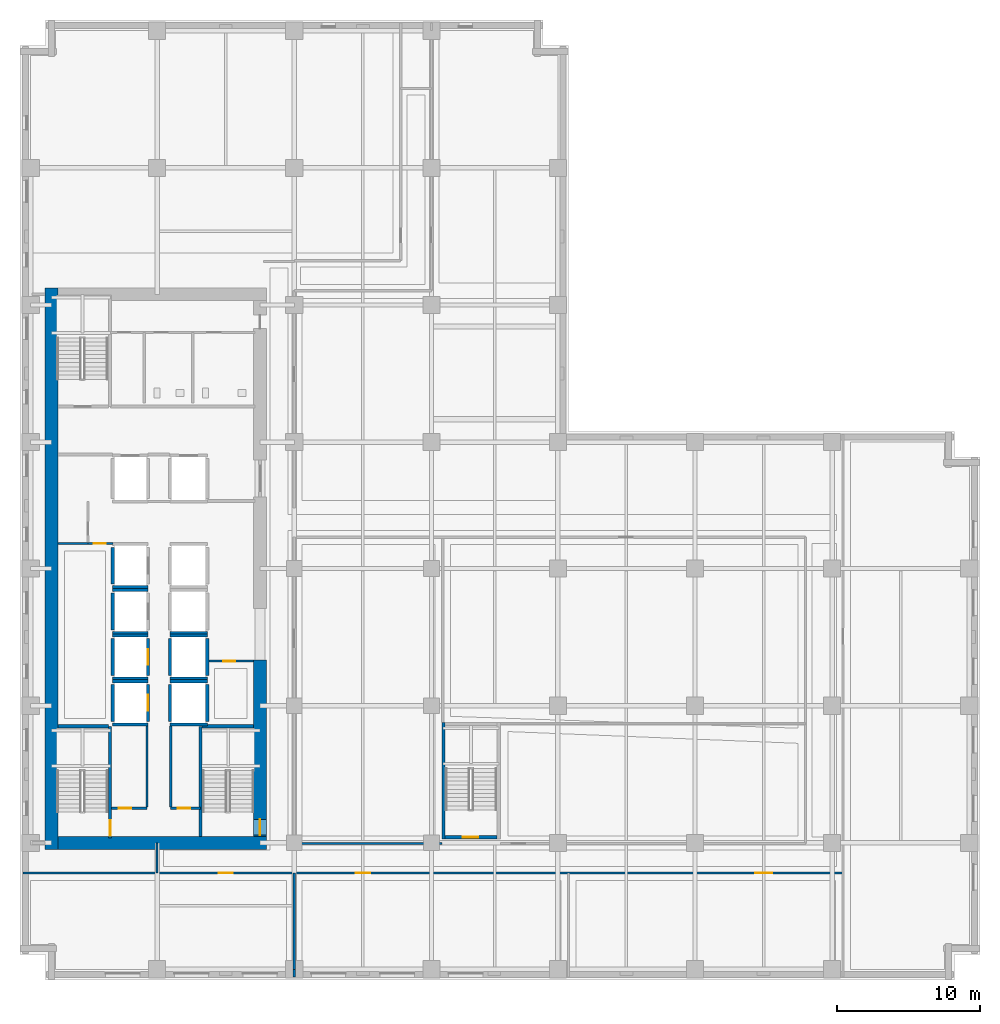
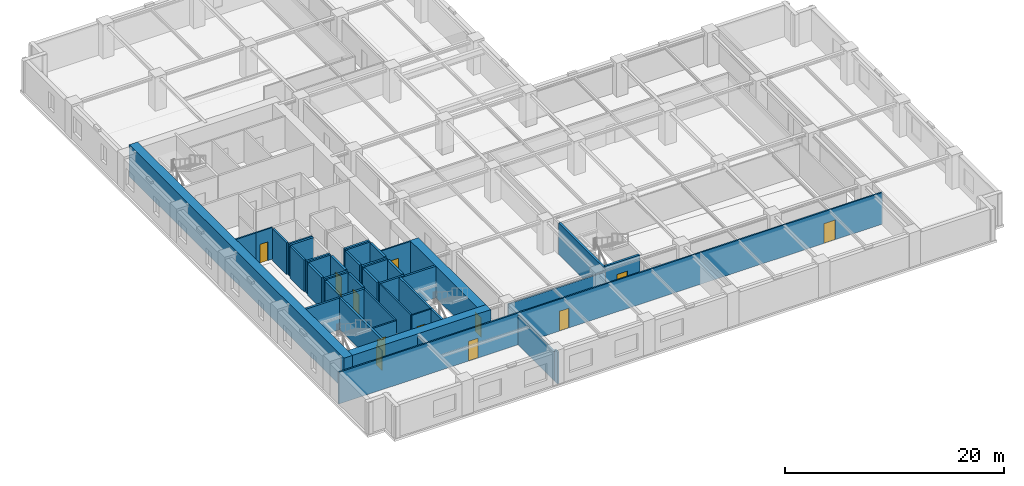
# One storey, part 4 of 13: 43 walls, 12 doors, 12 openings.
"""IFC4 building model written with IfcOpenShell, lengths in metres."""

from ifc_helpers import new_model, si_unit, direction, frame, frame_2d, origin, place, context, subcontext, project, spatial, rectangle, extrude, material, layer, layer_set, type_object, element, fill, save


model = new_model("IFC4")

# Units and contexts
model_context = context("Model", 3, precision=1e-05, world=origin(), true_north=direction((0.0, 1.0)))
body_context = subcontext(model_context, "Body", "Model", "MODEL_VIEW")
ifc_project = project(units=[si_unit("LENGTHUNIT", "METRE"), si_unit("AREAUNIT", "SQUARE_METRE"), si_unit("VOLUMEUNIT", "CUBIC_METRE"), si_unit("PLANEANGLEUNIT", "RADIAN"), si_unit("MASSUNIT", "GRAM", prefix="KILO")], contexts=[model_context])

# Site, building, storey
site_placement = place(None, origin())
site = spatial("IfcSite", under=ifc_project, at=site_placement, CompositionType="ELEMENT")
building_placement = place(site_placement, origin())
building = spatial("IfcBuilding", under=site, at=building_placement, Name="Norrvale University Quadrangle", CompositionType="ELEMENT")
storey_placement = place(building_placement, frame((0.0, 0.0, 54.60009765625)))
storey = spatial("IfcBuildingStorey", under=building, at=storey_placement, Name="L13", CompositionType="ELEMENT", Elevation=54.60009765625)

# Walls
ifc_material_1 = material(Name="Concrete C80/95", Category="concrete")
ifc_layer_1 = layer(ifc_material_1, 0.89990234375, Name="Concrete C80/95")
ifc_layer_set_1 = layer_set([ifc_layer_1], Name="Concrete C80/95")
wall_type_1 = type_object("IfcWallType", Name="Wall Core 900", PredefinedType="SHEAR", material=ifc_layer_set_1)
wall_1_placement = place(storey_placement, frame((2.64990234375, 9.60009765625, 0.0), z_axis=(0.0, 0.0, 1.0), x_axis=(1.0, 0.0, 0.0)))
element("IfcWall", 1, at=wall_1_placement, inside=storey, type_object=wall_type_1, Name="Tower Core Shear Wall L13-S", PredefinedType="SHEAR", context=body_context, shape_type="SweptSolid", body=[
    extrude(rectangle(XDim=14.60009765625, YDim=0.89990234375, at=frame_2d((7.300048828125, 0.0))), origin(), (0.0, 0.0, 1.0), 3.539794921875),
])
wall_2_placement = place(storey_placement, frame((2.199951171875, 9.14990234375, 0.0), z_axis=(0.0, 0.0, 1.0), x_axis=(0.0, 1.0, 0.0)))
element("IfcWall", 2, at=wall_2_placement, inside=storey, type_object=wall_type_1, Name="Tower Core Shear Wall L13-W", PredefinedType="SHEAR", context=body_context, shape_type="SweptSolid", body=[
    extrude(rectangle(XDim=39.300048828125, YDim=0.89990234375, at=frame_2d((19.64990234375, 0.0))), origin(), (0.0, 0.0, 1.0), 3.539794921875),
])

# Wall, opening, door
wall_3_placement = place(storey_placement, frame((16.800048828125, 10.050048828125, 0.0), z_axis=(0.0, 0.0, 1.0), x_axis=(0.0, 1.0, 0.0)))
wall_3 = element("IfcWall", 3, at=wall_3_placement, inside=storey, type_object=wall_type_1, Name="Tower Core Shear Wall L13-E1", PredefinedType="SHEAR", context=body_context, shape_type="SweptSolid", body=[
    extrude(rectangle(XDim=12.349853515625, YDim=0.89990234375, at=frame_2d((6.1748046875, 0.0))), origin(), (0.0, 0.0, 1.0), 3.539794921875),
])
opening_1_placement = place(wall_3_placement, frame((0.090087890625, 0.0, 0.0)))
opening_1 = element("IfcOpeningElement", 4, at=opening_1_placement, cuts=wall_3, Name="Opening D02", PredefinedType="OPENING", context=body_context, shape_type="SweptSolid", body=[
    extrude(rectangle(XDim=1.10009765625, YDim=2.199951171875, at=frame_2d((0.550048828125, 1.10009765625))), frame((0.0, 0.4619140625, 0.0), z_axis=(0.0, -1.0, 0.0), x_axis=(1.0, 0.0, 0.0)), (0.0, 0.0, 1.0), 0.923828125),
])
ifc_material_2 = material(Name="Hollow Steel 350W Fire Door", Category="steel")
door_type_1 = type_object("IfcDoorType", Name="Door Stair Exit 1100x2200", OperationType="NOTDEFINED", PredefinedType="DOOR", material=ifc_material_2)
door_1_placement = place(opening_1_placement, origin())
door_1 = element("IfcDoor", 5, at=door_1_placement, inside=storey, type_object=door_type_1, Name="Door Stair Exit 1100x2200 DR-L13-ST03", OperationType="SINGLE_SWING_LEFT", OverallHeight=2.199951171875, OverallWidth=1.10009765625, PredefinedType="DOOR", context=body_context, shape_type="SweptSolid", body=[
    extrude(rectangle(XDim=1.10009765625, YDim=2.199951171875, at=frame_2d((0.550048828125, 1.10009765625))), frame((0.0, 0.02490234375, 0.0), z_axis=(0.0, -1.0, 0.0), x_axis=(1.0, 0.0, 0.0)), (0.0, 0.0, 1.0), 0.050048828125),
])
fill(opening_1, door_1)

ifc_material_3 = material(Name="Fire-Rated Gypsum Stud Partition")
ifc_layer_2 = layer(ifc_material_3, 0.14990234375, Name="Fire-Rated Gypsum Stud Partition")
ifc_layer_set_2 = layer_set([ifc_layer_2], Name="Fire-Rated Gypsum Stud Partition")
wall_type_2 = type_object("IfcWallType", Name="Wall Gypsum Corridor 150", PredefinedType="PARTITIONING", material=ifc_layer_set_2)
wall_4_placement = place(storey_placement, frame((6.419921875, 12.02001953125, 0.0), z_axis=(0.0, 0.0, 1.0), x_axis=(1.0, 0.0, 0.0)))
wall_4 = element("IfcWall", 6, at=wall_4_placement, inside=storey, type_object=wall_type_2, Name="Interior Partition WL-L13-SC-NL", PredefinedType="PARTITIONING", context=body_context, shape_type="SweptSolid", body=[
    extrude(rectangle(XDim=2.47998046875, YDim=0.14990234375, at=frame_2d((1.239990234375, 0.0))), origin(), (0.0, 0.0, 1.0), 3.539794921875),
])
opening_2_placement = place(wall_4_placement, frame((0.5, 0.0, 0.0)))
opening_2 = element("IfcOpeningElement", 7, at=opening_2_placement, cuts=wall_4, Name="Opening D10", PredefinedType="OPENING", context=body_context, shape_type="SweptSolid", body=[
    extrude(rectangle(XDim=0.85009765625, YDim=2.10009765625, at=frame_2d((0.425048828125, 1.050048828125))), frame((0.0, 0.0869140625, 0.0), z_axis=(0.0, -1.0, 0.0), x_axis=(1.0, 0.0, 0.0)), (0.0, 0.0, 1.0), 0.173828125),
])
ifc_material_4 = material(Name="Hollow Steel 350W Riser Fire Door", Category="steel")
door_type_2 = type_object("IfcDoorType", Name="Door Riser 850x2100", OperationType="NOTDEFINED", PredefinedType="DOOR", material=ifc_material_4)
door_2_placement = place(opening_2_placement, origin())
door_2 = element("IfcDoor", 8, at=door_2_placement, inside=storey, type_object=door_type_2, Name="Door Riser 850x2100 DR-L13-ELEC", OperationType="SINGLE_SWING_LEFT", OverallHeight=2.10009765625, OverallWidth=0.85009765625, PredefinedType="DOOR", context=body_context, shape_type="SweptSolid", body=[
    extrude(rectangle(XDim=0.85009765625, YDim=2.10009765625, at=frame_2d((0.425048828125, 1.050048828125))), frame((0.0, 0.02490234375, 0.0), z_axis=(0.0, -1.0, 0.0), x_axis=(1.0, 0.0, 0.0)), (0.0, 0.0, 1.0), 0.050048828125),
])
fill(opening_2, door_2)

wall_5_placement = place(storey_placement, frame((10.550048828125, 12.02001953125, 0.0), z_axis=(0.0, 0.0, 1.0), x_axis=(1.0, 0.0, 0.0)))
wall_5 = element("IfcWall", 9, at=wall_5_placement, inside=storey, type_object=wall_type_2, Name="Interior Partition WL-L13-SC-NR", PredefinedType="PARTITIONING", context=body_context, shape_type="SweptSolid", body=[
    extrude(rectangle(XDim=2.079833984375, YDim=0.14990234375, at=frame_2d((1.0400390625, 0.0))), origin(), (0.0, 0.0, 1.0), 3.539794921875),
])
opening_3_placement = place(wall_5_placement, frame((0.5, 0.0, 0.0)))
opening_3 = element("IfcOpeningElement", 10, at=opening_3_placement, cuts=wall_5, Name="Opening D10", PredefinedType="OPENING", context=body_context, shape_type="SweptSolid", body=[
    extrude(rectangle(XDim=0.85009765625, YDim=2.10009765625, at=frame_2d((0.425048828125, 1.050048828125))), frame((0.0, 0.0869140625, 0.0), z_axis=(0.0, -1.0, 0.0), x_axis=(1.0, 0.0, 0.0)), (0.0, 0.0, 1.0), 0.173828125),
])
door_3_placement = place(opening_3_placement, origin())
door_3 = element("IfcDoor", 11, at=door_3_placement, inside=storey, type_object=door_type_2, Name="Door Riser 850x2100 DR-L13-IDF", OperationType="SINGLE_SWING_RIGHT", OverallHeight=2.10009765625, OverallWidth=0.85009765625, PredefinedType="DOOR", context=body_context, shape_type="SweptSolid", body=[
    extrude(rectangle(XDim=0.85009765625, YDim=2.10009765625, at=frame_2d((0.425048828125, 1.050048828125))), frame((0.0, 0.02490234375, 0.0), z_axis=(0.0, -1.0, 0.0), x_axis=(1.0, 0.0, 0.0)), (0.0, 0.0, 1.0), 0.050048828125),
])
fill(opening_3, door_3)

# Walls
for number, where, z_axis, x_axis, name in (
    (12, (8.89990234375, 12.094970703125, 0.0), (0.0, 0.0, 1.0), (0.0, 1.0, 0.0), "Interior Partition WL-L13-SC-WL"),
    (13, (10.550048828125, 12.094970703125, 0.0), (0.0, 0.0, 1.0), (0.0, 1.0, 0.0), "Interior Partition WL-L13-SC-WR"),
):
    element("IfcWall", number, at=place(storey_placement, frame(where, z_axis=z_axis, x_axis=x_axis)), inside=storey, type_object=wall_type_2, Name=name, PredefinedType="PARTITIONING", context=body_context, shape_type="SweptSolid", body=[
        extrude(rectangle(XDim=5.679931640625, YDim=0.14990234375, at=frame_2d((2.83984375, 0.0))), origin(), (0.0, 0.0, 1.0), 3.539794921875),
    ])

# Wall, opening, door
wall_6_placement = place(storey_placement, frame((13.22509765625, 22.320068359375, 0.0), z_axis=(0.0, 0.0, 1.0), x_axis=(1.0, 0.0, 0.0)))
wall_6 = element("IfcWall", 14, at=wall_6_placement, inside=storey, type_object=wall_type_2, Name="Interior Partition WL-L13-JAN-N", PredefinedType="PARTITIONING", context=body_context, shape_type="SweptSolid", body=[
    extrude(rectangle(XDim=3.119873046875, YDim=0.14990234375, at=frame_2d((1.56005859375, 0.0))), origin(), (0.0, 0.0, 1.0), 3.539794921875),
])
opening_4_placement = place(wall_6_placement, frame((1.0, 0.0, 0.0)))
opening_4 = element("IfcOpeningElement", 15, at=opening_4_placement, cuts=wall_6, Name="Opening D10", PredefinedType="OPENING", context=body_context, shape_type="SweptSolid", body=[
    extrude(rectangle(XDim=0.85009765625, YDim=2.10009765625, at=frame_2d((0.425048828125, 1.050048828125))), frame((0.0, 0.0869140625, 0.0), z_axis=(0.0, -1.0, 0.0), x_axis=(1.0, 0.0, 0.0)), (0.0, 0.0, 1.0), 0.173828125),
])
door_4_placement = place(opening_4_placement, origin())
door_4 = element("IfcDoor", 16, at=door_4_placement, inside=storey, type_object=door_type_2, Name="Door Riser 850x2100 DR-L13-JAN", OperationType="SINGLE_SWING_LEFT", OverallHeight=2.10009765625, OverallWidth=0.85009765625, PredefinedType="DOOR", context=body_context, shape_type="SweptSolid", body=[
    extrude(rectangle(XDim=0.85009765625, YDim=2.10009765625, at=frame_2d((0.425048828125, 1.050048828125))), frame((0.0, 0.02490234375, 0.0), z_axis=(0.0, -1.0, 0.0), x_axis=(1.0, 0.0, 0.0)), (0.0, 0.0, 1.0), 0.050048828125),
])
fill(opening_4, door_4)

wall_7_placement = place(storey_placement, frame((4.760009765625, 30.550048828125, 0.0), z_axis=(0.0, 0.0, 1.0), x_axis=(1.0, 0.0, 0.0)))
wall_7 = element("IfcWall", 17, at=wall_7_placement, inside=storey, type_object=wall_type_2, Name="Interior Partition WL-L13-WST-N", PredefinedType="PARTITIONING", context=body_context, shape_type="SweptSolid", body=[
    extrude(rectangle(XDim=1.760009765625, YDim=0.14990234375, at=frame_2d((0.8798828125, 0.0))), origin(), (0.0, 0.0, 1.0), 3.539794921875),
])
opening_5_placement = place(wall_7_placement, frame((0.39990234375, 0.0, 0.0)))
opening_5 = element("IfcOpeningElement", 18, at=opening_5_placement, cuts=wall_7, Name="Opening D10", PredefinedType="OPENING", context=body_context, shape_type="SweptSolid", body=[
    extrude(rectangle(XDim=0.85009765625, YDim=2.10009765625, at=frame_2d((0.425048828125, 1.050048828125))), frame((0.0, 0.0869140625, 0.0), z_axis=(0.0, -1.0, 0.0), x_axis=(1.0, 0.0, 0.0)), (0.0, 0.0, 1.0), 0.173828125),
])
door_5_placement = place(opening_5_placement, origin())
door_5 = element("IfcDoor", 19, at=door_5_placement, inside=storey, type_object=door_type_2, Name="Door Riser 850x2100 DR-L13-WST", OperationType="SINGLE_SWING_RIGHT", OverallHeight=2.10009765625, OverallWidth=0.85009765625, PredefinedType="DOOR", context=body_context, shape_type="SweptSolid", body=[
    extrude(rectangle(XDim=0.85009765625, YDim=2.10009765625, at=frame_2d((0.425048828125, 1.050048828125))), frame((0.0, 0.02490234375, 0.0), z_axis=(0.0, -1.0, 0.0), x_axis=(1.0, 0.0, 0.0)), (0.0, 0.0, 1.0), 0.050048828125),
])
fill(opening_5, door_5)

# Walls
wall_8_placement = place(storey_placement, frame((2.64990234375, 30.550048828125, 0.0), z_axis=(0.0, 0.0, 1.0), x_axis=(1.0, 0.0, 0.0)))
element("IfcWall", 20, at=wall_8_placement, inside=storey, type_object=wall_type_2, Name="Interior Partition WL-L13-WST-N2", PredefinedType="PARTITIONING", context=body_context, shape_type="SweptSolid", body=[
    extrude(rectangle(XDim=2.110107421875, YDim=0.14990234375, at=frame_2d((1.05517578125, 0.0))), origin(), (0.0, 0.0, 1.0), 3.539794921875),
])
wall_9_placement = place(storey_placement, frame((9.60009765625, 7.5, 0.0), z_axis=(0.0, 0.0, 1.0), x_axis=(0.0, 1.0, 0.0)))
element("IfcWall", 21, at=wall_9_placement, inside=storey, type_object=wall_type_2, Name="Interior Partition WL-L13-CSW-END", PredefinedType="PARTITIONING", context=body_context, shape_type="SweptSolid", body=[
    extrude(rectangle(XDim=2.10009765625, YDim=0.14990234375, at=frame_2d((1.050048828125, 0.0))), origin(), (0.0, 0.0, 1.0), 3.23193359375),
])

# Wall, openings, doors
wall_10_placement = place(storey_placement, frame((0.219970703125, 7.5, 0.0), z_axis=(0.0, 0.0, 1.0), x_axis=(1.0, 0.0, 0.0)))
wall_10 = element("IfcWall", 22, at=wall_10_placement, inside=storey, type_object=wall_type_2, Name="Interior Partition WL-L13-SCW", PredefinedType="PARTITIONING", context=body_context, shape_type="SweptSolid", body=[
    extrude(rectangle(XDim=57.380126953125, YDim=0.14990234375, at=frame_2d((28.68994140625, 0.0))), origin(), (0.0, 0.0, 1.0), 3.539794921875),
])
opening_6_placement = place(wall_10_placement, frame((13.679931640625, 0.0, 0.0)))
opening_6 = element("IfcOpeningElement", 23, at=opening_6_placement, cuts=wall_10, Name="Opening D04", PredefinedType="OPENING", context=body_context, shape_type="SweptSolid", body=[
    extrude(rectangle(XDim=1.0, YDim=2.199951171875, at=frame_2d((0.5, 1.10009765625))), frame((0.0, 0.0869140625, 0.0), z_axis=(0.0, -1.0, 0.0), x_axis=(1.0, 0.0, 0.0)), (0.0, 0.0, 1.0), 0.173828125),
])
opening_7_placement = place(wall_10_placement, frame((23.280029296875, 0.0, 0.0)))
opening_7 = element("IfcOpeningElement", 24, at=opening_7_placement, cuts=wall_10, Name="Opening D04", PredefinedType="OPENING", context=body_context, shape_type="SweptSolid", body=[
    extrude(rectangle(XDim=1.0, YDim=2.199951171875, at=frame_2d((0.5, 1.10009765625))), frame((0.0, 0.0869140625, 0.0), z_axis=(0.0, -1.0, 0.0), x_axis=(1.0, 0.0, 0.0)), (0.0, 0.0, 1.0), 0.173828125),
])
opening_8_placement = place(wall_10_placement, frame((51.22998046875, 0.0, 0.0)))
opening_8 = element("IfcOpeningElement", 25, at=opening_8_placement, cuts=wall_10, Name="Opening D05", PredefinedType="OPENING", context=body_context, shape_type="SweptSolid", body=[
    extrude(rectangle(XDim=1.199951171875, YDim=2.199951171875, at=frame_2d((0.60009765625, 1.10009765625))), frame((0.0, 0.0869140625, 0.0), z_axis=(0.0, -1.0, 0.0), x_axis=(1.0, 0.0, 0.0)), (0.0, 0.0, 1.0), 0.173828125),
])
ifc_material_5 = material(Name="Acoustic Oak Classroom Door", Category="wood")
door_type_3 = type_object("IfcDoorType", Name="Door Classroom 1200x2200", OperationType="NOTDEFINED", PredefinedType="DOOR", material=ifc_material_5)
door_6_placement = place(opening_8_placement, origin())
door_6 = element("IfcDoor", 26, at=door_6_placement, inside=storey, type_object=door_type_3, Name="Door Classroom 1200x2200 DR-L13-S03", OperationType="SINGLE_SWING_LEFT", OverallHeight=2.199951171875, OverallWidth=1.199951171875, PredefinedType="DOOR", context=body_context, shape_type="SweptSolid", body=[
    extrude(rectangle(XDim=1.199951171875, YDim=2.199951171875, at=frame_2d((0.60009765625, 1.10009765625))), frame((0.0, 0.02490234375, 0.0), z_axis=(0.0, -1.0, 0.0), x_axis=(1.0, 0.0, 0.0)), (0.0, 0.0, 1.0), 0.050048828125),
])
fill(opening_8, door_6)
ifc_material_6 = material(Name="Solid-Core Oak Fire Door", Category="wood")
door_type_4 = type_object("IfcDoorType", Name="Door Corridor 1000x2200", OperationType="NOTDEFINED", PredefinedType="DOOR", material=ifc_material_6)
door_7_placement = place(opening_6_placement, origin())
door_7 = element("IfcDoor", 27, at=door_7_placement, inside=storey, type_object=door_type_4, Name="Door Corridor 1000x2200 DR-L13-S01", OperationType="SINGLE_SWING_LEFT", OverallHeight=2.199951171875, OverallWidth=1.0, PredefinedType="DOOR", context=body_context, shape_type="SweptSolid", body=[
    extrude(rectangle(XDim=1.0, YDim=2.199951171875, at=frame_2d((0.5, 1.10009765625))), frame((0.0, 0.02490234375, 0.0), z_axis=(0.0, -1.0, 0.0), x_axis=(1.0, 0.0, 0.0)), (0.0, 0.0, 1.0), 0.050048828125),
])
fill(opening_6, door_7)
door_8_placement = place(opening_7_placement, origin())
door_8 = element("IfcDoor", 28, at=door_8_placement, inside=storey, type_object=door_type_4, Name="Door Corridor 1000x2200 DR-L13-S02", OperationType="SINGLE_SWING_RIGHT", OverallHeight=2.199951171875, OverallWidth=1.0, PredefinedType="DOOR", context=body_context, shape_type="SweptSolid", body=[
    extrude(rectangle(XDim=1.0, YDim=2.199951171875, at=frame_2d((0.5, 1.10009765625))), frame((0.0, 0.02490234375, 0.0), z_axis=(0.0, -1.0, 0.0), x_axis=(1.0, 0.0, 0.0)), (0.0, 0.0, 1.0), 0.050048828125),
])
fill(opening_7, door_8)

# Walls
wall_11_placement = place(storey_placement, frame((19.280029296875, 9.550048828125, 0.0), z_axis=(0.0, 0.0, 1.0), x_axis=(1.0, 0.0, 0.0)))
element("IfcWall", 29, at=wall_11_placement, inside=storey, type_object=wall_type_2, Name="Interior Partition WL-L13-ISLS1", PredefinedType="PARTITIONING", context=body_context, shape_type="SweptSolid", body=[
    extrude(rectangle(XDim=10.244873046875, YDim=0.14990234375, at=frame_2d((5.12255859375, 0.0))), origin(), (0.0, 0.0, 1.0), 3.23193359375),
])
ifc_material_7 = material(Name="Sanitary Chase Gypsum Partition")
ifc_layer_3 = layer(ifc_material_7, 0.1650390625, Name="Sanitary Chase Gypsum Partition")
ifc_layer_set_3 = layer_set([ifc_layer_3], Name="Sanitary Chase Gypsum Partition")
wall_type_3 = type_object("IfcWallType", Name="Wall Gypsum Sanitary 165", PredefinedType="PLUMBINGWALL", material=ifc_layer_set_3)
wall_12_placement = place(storey_placement, frame((19.199951171875, 0.219970703125, 0.0), z_axis=(0.0, 0.0, 1.0), x_axis=(0.0, 1.0, 0.0)))
element("IfcWall", 30, at=wall_12_placement, inside=storey, type_object=wall_type_3, Name="Interior Partition WL-L13-SP01", PredefinedType="PLUMBINGWALL", context=body_context, shape_type="SweptSolid", body=[
    extrude(rectangle(XDim=0.530029296875, YDim=0.1650390625, at=frame_2d((0.26513671875, 0.0))), origin(), (0.0, 0.0, 1.0), 3.539794921875),
])
wall_13_placement = place(storey_placement, frame((19.199951171875, 0.75, 0.0), z_axis=(0.0, 0.0, 1.0), x_axis=(0.0, 1.0, 0.0)))
element("IfcWall", 31, at=wall_13_placement, inside=storey, type_object=wall_type_3, Name="Interior Partition WL-L13-SP01-B2", PredefinedType="PLUMBINGWALL", context=body_context, shape_type="SweptSolid", body=[
    extrude(rectangle(XDim=6.75, YDim=0.1650390625, at=frame_2d((3.375, 0.0))), origin(), (0.0, 0.0, 1.0), 3.23193359375),
])

# Wall, opening, door
ifc_material_8 = material(Name="Concrete Blockwork 20 MPa Fire Shaft", Category="masonry")
ifc_layer_4 = layer(ifc_material_8, 0.219970703125, Name="Concrete Blockwork 20 MPa Fire Shaft")
ifc_layer_set_4 = layer_set([ifc_layer_4], Name="Concrete Blockwork 20 MPa Fire Shaft")
wall_type_4 = type_object("IfcWallType", Name="Wall Shaft 220", PredefinedType="SOLIDWALL", material=ifc_layer_set_4)
wall_14_placement = place(storey_placement, frame((6.31005859375, 9.949951171875, 0.0), z_axis=(0.0, 0.0, 1.0), x_axis=(0.0, 1.0, 0.0)))
wall_14 = element("IfcWall", 32, at=wall_14_placement, inside=storey, type_object=wall_type_4, Name="Stair ST-01 East Shaft Wall L13", PredefinedType="SOLIDWALL", context=body_context, shape_type="SweptSolid", body=[
    extrude(rectangle(XDim=7.81005859375, YDim=0.219970703125, at=frame_2d((3.905029296875, 0.0))), origin(), (0.0, 0.0, 1.0), 3.539794921875),
])
opening_9_placement = place(wall_14_placement, frame((0.139892578125, 0.0, 0.0)))
opening_9 = element("IfcOpeningElement", 33, at=opening_9_placement, cuts=wall_14, Name="Opening D02", PredefinedType="OPENING", context=body_context, shape_type="SweptSolid", body=[
    extrude(rectangle(XDim=1.10009765625, YDim=2.199951171875, at=frame_2d((0.550048828125, 1.10009765625))), frame((0.0, 0.1220703125, 0.0), z_axis=(0.0, -1.0, 0.0), x_axis=(1.0, 0.0, 0.0)), (0.0, 0.0, 1.0), 0.243896484375),
])
door_9_placement = place(opening_9_placement, origin())
door_9 = element("IfcDoor", 34, at=door_9_placement, inside=storey, type_object=door_type_1, Name="Door Stair Exit 1100x2200 DR-L13-ST01", OperationType="SINGLE_SWING_LEFT", OverallHeight=2.199951171875, OverallWidth=1.10009765625, PredefinedType="DOOR", context=body_context, shape_type="SweptSolid", body=[
    extrude(rectangle(XDim=1.10009765625, YDim=2.199951171875, at=frame_2d((0.550048828125, 1.10009765625))), frame((0.0, 0.02490234375, 0.0), z_axis=(0.0, -1.0, 0.0), x_axis=(1.0, 0.0, 0.0)), (0.0, 0.0, 1.0), 0.050048828125),
])
fill(opening_9, door_9)

# Walls
wall_15_placement = place(storey_placement, frame((2.64990234375, 17.760009765625, 0.0), z_axis=(0.0, 0.0, 1.0), x_axis=(1.0, 0.0, 0.0)))
element("IfcWall", 35, at=wall_15_placement, inside=storey, type_object=wall_type_4, Name="Stair ST-01 North Shaft Wall L13", PredefinedType="SOLIDWALL", context=body_context, shape_type="SweptSolid", body=[
    extrude(rectangle(XDim=3.550048828125, YDim=0.219970703125, at=frame_2d((1.77490234375, 0.0))), origin(), (0.0, 0.0, 1.0), 3.539794921875),
])
wall_16_placement = place(storey_placement, frame((12.639892578125, 10.050048828125, 0.0), z_axis=(0.0, 0.0, 1.0), x_axis=(0.0, 1.0, 0.0)))
element("IfcWall", 36, at=wall_16_placement, inside=storey, type_object=wall_type_4, Name="Stair ST-03 West Shaft Wall L13", PredefinedType="SOLIDWALL", context=body_context, shape_type="SweptSolid", body=[
    extrude(rectangle(XDim=7.7099609375, YDim=0.219970703125, at=frame_2d((3.85498046875, 0.0))), origin(), (0.0, 0.0, 1.0), 3.539794921875),
])
wall_17_placement = place(storey_placement, frame((12.75, 17.760009765625, 0.0), z_axis=(0.0, 0.0, 1.0), x_axis=(1.0, 0.0, 0.0)))
element("IfcWall", 37, at=wall_17_placement, inside=storey, type_object=wall_type_4, Name="Stair ST-03 North Shaft Wall L13", PredefinedType="SOLIDWALL", context=body_context, shape_type="SweptSolid", body=[
    extrude(rectangle(XDim=3.60009765625, YDim=0.219970703125, at=frame_2d((1.800048828125, 0.0))), origin(), (0.0, 0.0, 1.0), 3.539794921875),
])

# Wall, opening, door
wall_18_placement = place(storey_placement, frame((29.75, 9.989990234375, 0.0), z_axis=(0.0, 0.0, 1.0), x_axis=(1.0, 0.0, 0.0)))
wall_18 = element("IfcWall", 38, at=wall_18_placement, inside=storey, type_object=wall_type_4, Name="Stair ST-04 South Shaft Wall L13", PredefinedType="SOLIDWALL", context=body_context, shape_type="SweptSolid", body=[
    extrude(rectangle(XDim=3.64990234375, YDim=0.219970703125, at=frame_2d((1.824951171875, 0.0))), origin(), (0.0, 0.0, 1.0), 3.539794921875),
])
opening_10_placement = place(wall_18_placement, frame((1.239990234375, 0.0, 0.0)))
opening_10 = element("IfcOpeningElement", 39, at=opening_10_placement, cuts=wall_18, Name="Opening D02", PredefinedType="OPENING", context=body_context, shape_type="SweptSolid", body=[
    extrude(rectangle(XDim=1.10009765625, YDim=2.199951171875, at=frame_2d((0.550048828125, 1.10009765625))), frame((0.0, 0.1220703125, 0.0), z_axis=(0.0, -1.0, 0.0), x_axis=(1.0, 0.0, 0.0)), (0.0, 0.0, 1.0), 0.243896484375),
])
door_10_placement = place(opening_10_placement, origin())
door_10 = element("IfcDoor", 40, at=door_10_placement, inside=storey, type_object=door_type_1, Name="Door Stair Exit 1100x2200 DR-L13-ST04", OperationType="SINGLE_SWING_LEFT", OverallHeight=2.199951171875, OverallWidth=1.10009765625, PredefinedType="DOOR", context=body_context, shape_type="SweptSolid", body=[
    extrude(rectangle(XDim=1.10009765625, YDim=2.199951171875, at=frame_2d((0.550048828125, 1.10009765625))), frame((0.0, 0.02490234375, 0.0), z_axis=(0.0, -1.0, 0.0), x_axis=(1.0, 0.0, 0.0)), (0.0, 0.0, 1.0), 0.050048828125),
])
fill(opening_10, door_10)

# Walls
wall_19_placement = place(storey_placement, frame((29.639892578125, 9.8798828125, 0.0), z_axis=(0.0, 0.0, 1.0), x_axis=(0.0, 1.0, 0.0)))
element("IfcWall", 41, at=wall_19_placement, inside=storey, type_object=wall_type_4, Name="Stair ST-04 West Shaft Wall L13", PredefinedType="SOLIDWALL", context=body_context, shape_type="SweptSolid", body=[
    extrude(rectangle(XDim=8.14013671875, YDim=0.219970703125, at=frame_2d((4.070068359375, 0.0))), origin(), (0.0, 0.0, 1.0), 3.539794921875),
])
wall_20_placement = place(storey_placement, frame((6.489990234375, 18.110107421875, 0.0), z_axis=(0.0, 0.0, 1.0), x_axis=(0.0, 1.0, 0.0)))
element("IfcWall", 42, at=wall_20_placement, inside=storey, type_object=wall_type_4, Name="Hoistway PL-01 West Wall L13", PredefinedType="SOLIDWALL", context=body_context, shape_type="SweptSolid", body=[
    extrude(rectangle(XDim=2.579833984375, YDim=0.219970703125, at=frame_2d((1.2900390625, 0.0))), origin(), (0.0, 0.0, 1.0), 3.539794921875),
])

# Wall, opening, door
wall_21_placement = place(storey_placement, frame((8.9599609375, 18.110107421875, 0.0), z_axis=(0.0, 0.0, 1.0), x_axis=(0.0, 1.0, 0.0)))
wall_21 = element("IfcWall", 43, at=wall_21_placement, inside=storey, type_object=wall_type_4, Name="Hoistway PL-01 East Wall L13", PredefinedType="SOLIDWALL", context=body_context, shape_type="SweptSolid", body=[
    extrude(rectangle(XDim=2.579833984375, YDim=0.219970703125, at=frame_2d((1.2900390625, 0.0))), origin(), (0.0, 0.0, 1.0), 3.539794921875),
])
opening_11_placement = place(wall_21_placement, frame((0.739990234375, 0.0, 0.0)))
opening_11 = element("IfcOpeningElement", 44, at=opening_11_placement, cuts=wall_21, Name="Opening LD1", PredefinedType="OPENING", context=body_context, shape_type="SweptSolid", body=[
    extrude(rectangle(XDim=1.10009765625, YDim=2.199951171875, at=frame_2d((0.550048828125, 1.10009765625))), frame((0.0, 0.1220703125, 0.0), z_axis=(0.0, -1.0, 0.0), x_axis=(1.0, 0.0, 0.0)), (0.0, 0.0, 1.0), 0.243896484375),
])
ifc_material_9 = material(Name="Stainless Steel 316L Lift Landing Door", Category="steel")
door_type_5 = type_object("IfcDoorType", Name="Door Lift Landing 1100x2200", OperationType="DOUBLE_DOOR_SLIDING", PredefinedType="DOOR", material=ifc_material_9)
door_11_placement = place(opening_11_placement, origin())
door_11 = element("IfcDoor", 45, at=door_11_placement, inside=storey, type_object=door_type_5, Name="Elevator Landing Door DR-L13-PL-01", OperationType="DOUBLE_DOOR_SLIDING", OverallHeight=2.199951171875, OverallWidth=1.10009765625, PredefinedType="DOOR", context=body_context, shape_type="SweptSolid", body=[
    extrude(rectangle(XDim=1.10009765625, YDim=2.199951171875, at=frame_2d((0.550048828125, 1.10009765625))), frame((0.0, 0.02490234375, 0.0), z_axis=(0.0, -1.0, 0.0), x_axis=(1.0, 0.0, 0.0)), (0.0, 0.0, 1.0), 0.050048828125),
])
fill(opening_11, door_11)

# Walls
for number, where, z_axis, x_axis, name in (
    (46, (6.489990234375, 17.889892578125, 0.0), (0.0, 0.0, 1.0), (1.0, 0.0, 0.0), "Hoistway PL-01 South Wall L13"),
    (47, (6.489990234375, 20.909912109375, 0.0), (0.0, 0.0, 1.0), (1.0, 0.0, 0.0), "Hoistway PL-01 North Wall L13"),
):
    element("IfcWall", number, at=place(storey_placement, frame(where, z_axis=z_axis, x_axis=x_axis)), inside=storey, type_object=wall_type_4, Name=name, PredefinedType="SOLIDWALL", context=body_context, shape_type="SweptSolid", body=[
        extrude(rectangle(XDim=2.469970703125, YDim=0.219970703125, at=frame_2d((1.23486328125, 0.0))), origin(), (0.0, 0.0, 1.0), 3.539794921875),
    ])
wall_22_placement = place(storey_placement, frame((6.489990234375, 21.31005859375, 0.0), z_axis=(0.0, 0.0, 1.0), x_axis=(0.0, 1.0, 0.0)))
element("IfcWall", 48, at=wall_22_placement, inside=storey, type_object=wall_type_4, Name="Hoistway PL-02 West Wall L13", PredefinedType="SOLIDWALL", context=body_context, shape_type="SweptSolid", body=[
    extrude(rectangle(XDim=2.579833984375, YDim=0.219970703125, at=frame_2d((1.2900390625, 0.0))), origin(), (0.0, 0.0, 1.0), 3.539794921875),
])

# Wall, opening, door
wall_23_placement = place(storey_placement, frame((8.9599609375, 21.31005859375, 0.0), z_axis=(0.0, 0.0, 1.0), x_axis=(0.0, 1.0, 0.0)))
wall_23 = element("IfcWall", 49, at=wall_23_placement, inside=storey, type_object=wall_type_4, Name="Hoistway PL-02 East Wall L13", PredefinedType="SOLIDWALL", context=body_context, shape_type="SweptSolid", body=[
    extrude(rectangle(XDim=2.579833984375, YDim=0.219970703125, at=frame_2d((1.2900390625, 0.0))), origin(), (0.0, 0.0, 1.0), 3.539794921875),
])
opening_12_placement = place(wall_23_placement, frame((0.739990234375, 0.0, 0.0)))
opening_12 = element("IfcOpeningElement", 50, at=opening_12_placement, cuts=wall_23, Name="Opening LD1", PredefinedType="OPENING", context=body_context, shape_type="SweptSolid", body=[
    extrude(rectangle(XDim=1.10009765625, YDim=2.199951171875, at=frame_2d((0.550048828125, 1.10009765625))), frame((0.0, 0.1220703125, 0.0), z_axis=(0.0, -1.0, 0.0), x_axis=(1.0, 0.0, 0.0)), (0.0, 0.0, 1.0), 0.243896484375),
])
door_12_placement = place(opening_12_placement, origin())
door_12 = element("IfcDoor", 51, at=door_12_placement, inside=storey, type_object=door_type_5, Name="Elevator Landing Door DR-L13-PL-02", OperationType="DOUBLE_DOOR_SLIDING", OverallHeight=2.199951171875, OverallWidth=1.10009765625, PredefinedType="DOOR", context=body_context, shape_type="SweptSolid", body=[
    extrude(rectangle(XDim=1.10009765625, YDim=2.199951171875, at=frame_2d((0.550048828125, 1.10009765625))), frame((0.0, 0.02490234375, 0.0), z_axis=(0.0, -1.0, 0.0), x_axis=(1.0, 0.0, 0.0)), (0.0, 0.0, 1.0), 0.050048828125),
])
fill(opening_12, door_12)

# Walls
for number, where, z_axis, x_axis, name in (
    (52, (6.489990234375, 21.090087890625, 0.0), (0.0, 0.0, 1.0), (1.0, 0.0, 0.0), "Hoistway PL-02 South Wall L13"),
    (53, (6.489990234375, 24.110107421875, 0.0), (0.0, 0.0, 1.0), (1.0, 0.0, 0.0), "Hoistway PL-02 North Wall L13"),
):
    element("IfcWall", number, at=place(storey_placement, frame(where, z_axis=z_axis, x_axis=x_axis)), inside=storey, type_object=wall_type_4, Name=name, PredefinedType="SOLIDWALL", context=body_context, shape_type="SweptSolid", body=[
        extrude(rectangle(XDim=2.469970703125, YDim=0.219970703125, at=frame_2d((1.23486328125, 0.0))), origin(), (0.0, 0.0, 1.0), 3.539794921875),
    ])
wall_24_placement = place(storey_placement, frame((6.489990234375, 24.510009765625, 0.0), z_axis=(0.0, 0.0, 1.0), x_axis=(0.0, 1.0, 0.0)))
element("IfcWall", 54, at=wall_24_placement, inside=storey, type_object=wall_type_4, Name="Hoistway PL-03 West Wall L13", PredefinedType="SOLIDWALL", context=body_context, shape_type="SweptSolid", body=[
    extrude(rectangle(XDim=2.580078125, YDim=0.219970703125, at=frame_2d((1.2900390625, 0.0))), origin(), (0.0, 0.0, 1.0), 3.539794921875),
])
for number, where, z_axis, x_axis, name in (
    (55, (6.489990234375, 24.2900390625, 0.0), (0.0, 0.0, 1.0), (1.0, 0.0, 0.0), "Hoistway PL-03 South Wall L13"),
    (56, (6.489990234375, 27.31005859375, 0.0), (0.0, 0.0, 1.0), (1.0, 0.0, 0.0), "Hoistway PL-03 North Wall L13"),
):
    element("IfcWall", number, at=place(storey_placement, frame(where, z_axis=z_axis, x_axis=x_axis)), inside=storey, type_object=wall_type_4, Name=name, PredefinedType="SOLIDWALL", context=body_context, shape_type="SweptSolid", body=[
        extrude(rectangle(XDim=2.469970703125, YDim=0.219970703125, at=frame_2d((1.23486328125, 0.0))), origin(), (0.0, 0.0, 1.0), 3.539794921875),
    ])
wall_25_placement = place(storey_placement, frame((6.489990234375, 27.7099609375, 0.0), z_axis=(0.0, 0.0, 1.0), x_axis=(0.0, 1.0, 0.0)))
element("IfcWall", 57, at=wall_25_placement, inside=storey, type_object=wall_type_4, Name="Hoistway PL-04 West Wall L13", PredefinedType="SOLIDWALL", context=body_context, shape_type="SweptSolid", body=[
    extrude(rectangle(XDim=2.580078125, YDim=0.219970703125, at=frame_2d((1.2900390625, 0.0))), origin(), (0.0, 0.0, 1.0), 3.539794921875),
])
wall_26_placement = place(storey_placement, frame((6.489990234375, 27.489990234375, 0.0), z_axis=(0.0, 0.0, 1.0), x_axis=(1.0, 0.0, 0.0)))
element("IfcWall", 58, at=wall_26_placement, inside=storey, type_object=wall_type_4, Name="Hoistway PL-04 South Wall L13", PredefinedType="SOLIDWALL", context=body_context, shape_type="SweptSolid", body=[
    extrude(rectangle(XDim=2.469970703125, YDim=0.219970703125, at=frame_2d((1.23486328125, 0.0))), origin(), (0.0, 0.0, 1.0), 3.539794921875),
])
for number, where, z_axis, x_axis, name in (
    (59, (10.489990234375, 18.110107421875, 0.0), (0.0, 0.0, 1.0), (0.0, 1.0, 0.0), "Hoistway PL-05 West Wall L13"),
    (60, (13.110107421875, 18.110107421875, 0.0), (0.0, 0.0, 1.0), (0.0, 1.0, 0.0), "Hoistway PL-05 East Wall L13"),
):
    element("IfcWall", number, at=place(storey_placement, frame(where, z_axis=z_axis, x_axis=x_axis)), inside=storey, type_object=wall_type_4, Name=name, PredefinedType="SOLIDWALL", context=body_context, shape_type="SweptSolid", body=[
        extrude(rectangle(XDim=2.579833984375, YDim=0.219970703125, at=frame_2d((1.2900390625, 0.0))), origin(), (0.0, 0.0, 1.0), 3.539794921875),
    ])
for number, where, z_axis, x_axis, name in (
    (61, (10.489990234375, 17.889892578125, 0.0), (0.0, 0.0, 1.0), (1.0, 0.0, 0.0), "Hoistway PL-05 South Wall L13"),
    (62, (10.489990234375, 20.909912109375, 0.0), (0.0, 0.0, 1.0), (1.0, 0.0, 0.0), "Hoistway PL-05 North Wall L13"),
):
    element("IfcWall", number, at=place(storey_placement, frame(where, z_axis=z_axis, x_axis=x_axis)), inside=storey, type_object=wall_type_4, Name=name, PredefinedType="SOLIDWALL", context=body_context, shape_type="SweptSolid", body=[
        extrude(rectangle(XDim=2.6201171875, YDim=0.219970703125, at=frame_2d((1.31005859375, 0.0))), origin(), (0.0, 0.0, 1.0), 3.539794921875),
    ])
for number, where, z_axis, x_axis, name in (
    (63, (10.489990234375, 21.31005859375, 0.0), (0.0, 0.0, 1.0), (0.0, 1.0, 0.0), "Hoistway PL-06 West Wall L13"),
    (64, (13.110107421875, 21.31005859375, 0.0), (0.0, 0.0, 1.0), (0.0, 1.0, 0.0), "Hoistway PL-06 East Wall L13"),
):
    element("IfcWall", number, at=place(storey_placement, frame(where, z_axis=z_axis, x_axis=x_axis)), inside=storey, type_object=wall_type_4, Name=name, PredefinedType="SOLIDWALL", context=body_context, shape_type="SweptSolid", body=[
        extrude(rectangle(XDim=2.579833984375, YDim=0.219970703125, at=frame_2d((1.2900390625, 0.0))), origin(), (0.0, 0.0, 1.0), 3.539794921875),
    ])
for number, where, z_axis, x_axis, name in (
    (65, (10.489990234375, 21.090087890625, 0.0), (0.0, 0.0, 1.0), (1.0, 0.0, 0.0), "Hoistway PL-06 South Wall L13"),
    (66, (10.489990234375, 24.110107421875, 0.0), (0.0, 0.0, 1.0), (1.0, 0.0, 0.0), "Hoistway PL-06 North Wall L13"),
    (67, (10.489990234375, 24.2900390625, 0.0), (0.0, 0.0, 1.0), (1.0, 0.0, 0.0), "Hoistway PL-07 South Wall L13"),
):
    element("IfcWall", number, at=place(storey_placement, frame(where, z_axis=z_axis, x_axis=x_axis)), inside=storey, type_object=wall_type_4, Name=name, PredefinedType="SOLIDWALL", context=body_context, shape_type="SweptSolid", body=[
        extrude(rectangle(XDim=2.6201171875, YDim=0.219970703125, at=frame_2d((1.31005859375, 0.0))), origin(), (0.0, 0.0, 1.0), 3.539794921875),
    ])

save(model, "model.ifc")
